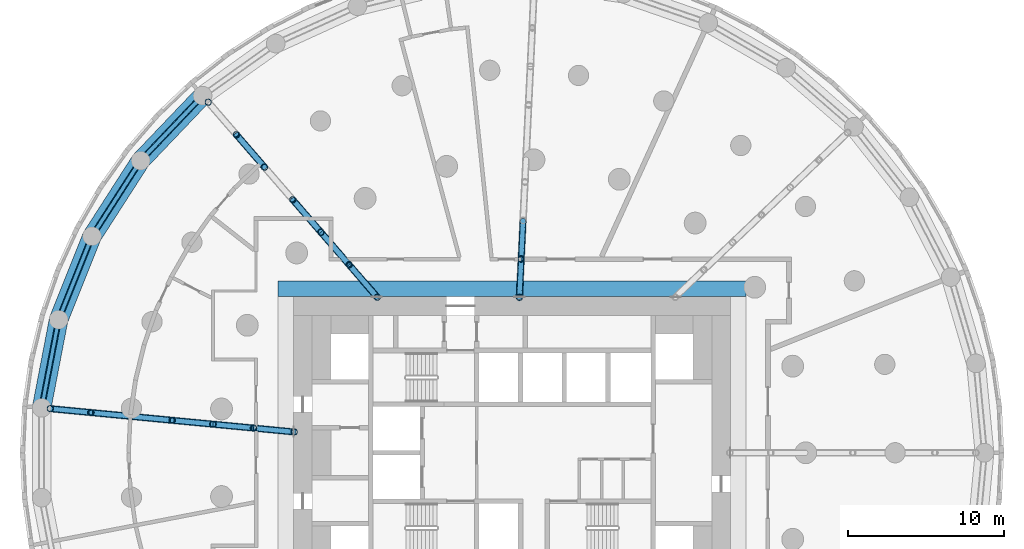
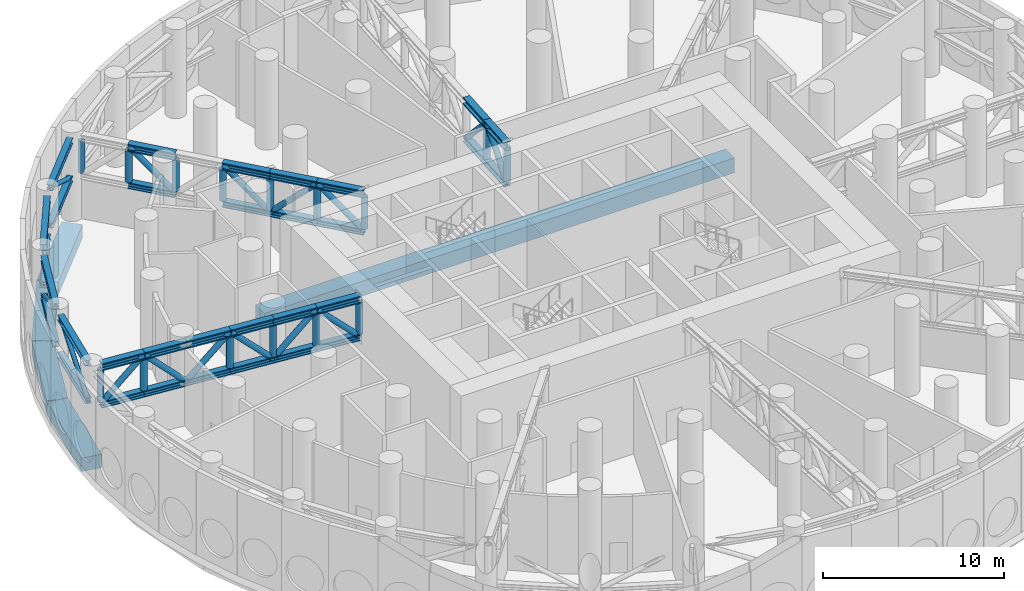
# One storey, part 5 of 17: 63 members, 5 beams.
"""IFC4 building model written with IfcOpenShell, lengths in metres."""

from ifc_helpers import new_model, si_unit, direction, frame, origin, origin_2d, place, context, subcontext, project, spatial, rectangle, hollow_circle, i_section, extrude, material, material_profile, profile_set, type_object, element, save


model = new_model("IFC4")

# Units and contexts
model_context = context("Model", 3, precision=1e-05, world=origin(), true_north=direction((0.0, 1.0)))
body_context = subcontext(model_context, "Body", "Model", "MODEL_VIEW")
ifc_project = project(units=[si_unit("LENGTHUNIT", "METRE"), si_unit("AREAUNIT", "SQUARE_METRE"), si_unit("VOLUMEUNIT", "CUBIC_METRE"), si_unit("PLANEANGLEUNIT", "RADIAN"), si_unit("MASSUNIT", "GRAM", prefix="KILO")], contexts=[model_context])

# Site, building, storey
site_placement = place(None, origin())
site = spatial("IfcSite", under=ifc_project, at=site_placement, CompositionType="ELEMENT")
building_placement = place(site_placement, origin())
building = spatial("IfcBuilding", under=site, at=building_placement, Name="Tracery Tower", CompositionType="ELEMENT")
storey_placement = place(building_placement, frame((0.0, 0.0, 120.0)))
storey = spatial("IfcBuildingStorey", under=building, at=storey_placement, Name="L30 Plant", CompositionType="ELEMENT", Elevation=120.0)

# Members
ifc_material_1 = material(Name="Steel S355", Category="steel")
ifc_material_profile_1 = material_profile(ifc_material_1, i_section(OverallWidth=0.37060546875, OverallDepth=0.362060546875, WebThickness=0.01220703125, FlangeThickness=0.020751953125, FilletRadius=0.01513671875, at=origin_2d()), Name="UKC 356x368x153")
ifc_profile_set_1 = profile_set([ifc_material_profile_1], Name="Steel S355")
member_type_1 = type_object("IfcMemberType", Name="Belt truss bottom chord UKC 356x368x153", PredefinedType="CHORD", material=ifc_profile_set_1)
member_1_placement = place(storey_placement, frame((-20.170654296875, 22.51806640625, 2.9033203125), z_axis=(-0.690093469117, -0.723720252503, 0.0), x_axis=(0.723720252503, -0.690093469117, 0.0)))
element("IfcMember", 1, at=member_1_placement, inside=storey, type_object=member_type_1, Name="Belt truss bottom chord 13", PredefinedType="CHORD", context=body_context, shape_type="SweptSolid", body=[
    extrude(i_section(OverallWidth=0.37060546875, OverallDepth=0.362060546875, WebThickness=0.01220703125, FlangeThickness=0.020751953125, FilletRadius=0.01513671875, at=origin_2d()), origin(), (0.0, 0.0, 1.0), 4.755615234375),
])
member_2_placement = place(storey_placement, frame((-24.067626953125, 18.2939453125, 2.9033203125), z_axis=(-0.540666777855, -0.841236848529, 0.0), x_axis=(0.841236848529, -0.540666777855, 0.0)))
element("IfcMember", 2, at=member_2_placement, inside=storey, type_object=member_type_1, Name="Belt truss bottom chord 14", PredefinedType="CHORD", context=body_context, shape_type="SweptSolid", body=[
    extrude(i_section(OverallWidth=0.37060546875, OverallDepth=0.362060546875, WebThickness=0.01220703125, FlangeThickness=0.020751953125, FilletRadius=0.01513671875, at=origin_2d()), origin(), (0.0, 0.0, 1.0), 4.755859375),
])
member_3_placement = place(storey_placement, frame((-27.094970703125, 13.408447265625, 2.9033203125), z_axis=(-0.371673893132, -0.928363354061, 0.0), x_axis=(0.928363354061, -0.371673893132, 0.0)))
element("IfcMember", 3, at=member_3_placement, inside=storey, type_object=member_type_1, Name="Belt truss bottom chord 15", PredefinedType="CHORD", context=body_context, shape_type="SweptSolid", body=[
    extrude(i_section(OverallWidth=0.37060546875, OverallDepth=0.362060546875, WebThickness=0.01220703125, FlangeThickness=0.020751953125, FilletRadius=0.01513671875, at=origin_2d()), origin(), (0.0, 0.0, 1.0), 4.755615234375),
])
member_4_placement = place(storey_placement, frame((-29.142822265625, 8.038330078125, 2.9033203125), z_axis=(-0.1892891442, -0.981921391909, 0.0), x_axis=(0.981921391909, -0.1892891442, 0.0)))
element("IfcMember", 4, at=member_4_placement, inside=storey, type_object=member_type_1, Name="Belt truss bottom chord 16", PredefinedType="CHORD", context=body_context, shape_type="SweptSolid", body=[
    extrude(i_section(OverallWidth=0.37060546875, OverallDepth=0.362060546875, WebThickness=0.01220703125, FlangeThickness=0.020751953125, FilletRadius=0.01513671875, at=origin_2d()), origin(), (0.0, 0.0, 1.0), 4.75537109375),
])
ifc_material_2 = material(Name="Steel S355", Category="steel")
ifc_material_profile_2 = material_profile(ifc_material_2, hollow_circle(Radius=0.136474609375, WallThickness=0.012451171875, at=origin_2d()), Name="CHS 273x12.5")
ifc_profile_set_2 = profile_set([ifc_material_profile_2], Name="Steel S355")
member_type_2 = type_object("IfcMemberType", Name="Belt truss diagonal CHS 273x12.5", PredefinedType="BRACE", material=ifc_profile_set_2)
member_5_placement = place(storey_placement, frame((-20.170654296875, 22.51806640625, 2.9033203125), z_axis=(-0.607678110868, -0.637288969565, 0.473909361421), x_axis=(0.723720252503, -0.690093469117, 0.0)))
element("IfcMember", 5, at=member_5_placement, inside=storey, type_object=member_type_2, Name="Belt truss diagonal 13", PredefinedType="BRACE", context=body_context, shape_type="SweptSolid", body=[
    extrude(hollow_circle(Radius=0.136474609375, WallThickness=0.012451171875, at=origin_2d()), origin(), (0.0, 0.0, 1.0), 5.400390625),
])
for number, where, z_axis, x_axis, name in (
    (6, (-24.067626953125, 18.2939453125, 5.462646484375), (-0.476103109274, -0.740780635366, -0.473888045435), (0.841236848529, -0.540666777855, 0.0), "Belt truss diagonal 14"),
    (7, (-27.094970703125, 13.408447265625, 2.9033203125), (-0.327289704715, -0.817500969621, 0.473891985431), (0.928363354061, -0.371673893132, 0.0), "Belt truss diagonal 15"),
):
    element("IfcMember", number, at=place(storey_placement, frame(where, z_axis=z_axis, x_axis=x_axis)), inside=storey, type_object=member_type_2, Name=name, PredefinedType="BRACE", context=body_context, shape_type="SweptSolid", body=[
        extrude(hollow_circle(Radius=0.136474609375, WallThickness=0.012451171875, at=origin_2d()), origin(), (0.0, 0.0, 1.0), 5.400634765625),
    ])
member_6_placement = place(storey_placement, frame((-29.142822265625, 8.038330078125, 5.462646484375), z_axis=(-0.166682292282, -0.864650263678, -0.473916590721), x_axis=(0.981921391909, -0.1892891442, 0.0)))
element("IfcMember", 8, at=member_6_placement, inside=storey, type_object=member_type_2, Name="Belt truss diagonal 16", PredefinedType="BRACE", context=body_context, shape_type="SweptSolid", body=[
    extrude(hollow_circle(Radius=0.136474609375, WallThickness=0.012451171875, at=origin_2d()), origin(), (0.0, 0.0, 1.0), 5.400390625),
])
ifc_material_3 = material(Name="Steel S355", Category="steel")
ifc_material_profile_3 = material_profile(ifc_material_3, i_section(OverallWidth=0.374755859375, OverallDepth=0.37451171875, WebThickness=0.0166015625, FlangeThickness=0.027099609375, FilletRadius=0.01513671875, at=origin_2d()), Name="UKC 356x368x202")
ifc_profile_set_3 = profile_set([ifc_material_profile_3], Name="Steel S355")
member_type_3 = type_object("IfcMemberType", Name="Belt truss top chord UKC 356x368x202", PredefinedType="CHORD", material=ifc_profile_set_3)
member_7_placement = place(storey_placement, frame((-20.170654296875, 22.51806640625, 5.462646484375), z_axis=(-0.690093469117, -0.723720252503, 0.0), x_axis=(0.723720252503, -0.690093469117, 0.0)))
element("IfcMember", 9, at=member_7_placement, inside=storey, type_object=member_type_3, Name="Belt truss top chord 13", PredefinedType="CHORD", context=body_context, shape_type="SweptSolid", body=[
    extrude(i_section(OverallWidth=0.374755859375, OverallDepth=0.37451171875, WebThickness=0.0166015625, FlangeThickness=0.027099609375, FilletRadius=0.01513671875, at=origin_2d()), origin(), (0.0, 0.0, 1.0), 4.755615234375),
])
member_8_placement = place(storey_placement, frame((-24.067626953125, 18.2939453125, 5.462646484375), z_axis=(-0.540666777855, -0.841236848529, 0.0), x_axis=(0.841236848529, -0.540666777855, 0.0)))
element("IfcMember", 10, at=member_8_placement, inside=storey, type_object=member_type_3, Name="Belt truss top chord 14", PredefinedType="CHORD", context=body_context, shape_type="SweptSolid", body=[
    extrude(i_section(OverallWidth=0.374755859375, OverallDepth=0.37451171875, WebThickness=0.0166015625, FlangeThickness=0.027099609375, FilletRadius=0.01513671875, at=origin_2d()), origin(), (0.0, 0.0, 1.0), 4.755859375),
])
member_9_placement = place(storey_placement, frame((-27.094970703125, 13.408447265625, 5.462646484375), z_axis=(-0.371673893132, -0.928363354061, 0.0), x_axis=(0.928363354061, -0.371673893132, 0.0)))
element("IfcMember", 11, at=member_9_placement, inside=storey, type_object=member_type_3, Name="Belt truss top chord 15", PredefinedType="CHORD", context=body_context, shape_type="SweptSolid", body=[
    extrude(i_section(OverallWidth=0.374755859375, OverallDepth=0.37451171875, WebThickness=0.0166015625, FlangeThickness=0.027099609375, FilletRadius=0.01513671875, at=origin_2d()), origin(), (0.0, 0.0, 1.0), 4.755615234375),
])
member_10_placement = place(storey_placement, frame((-29.142822265625, 8.038330078125, 5.462646484375), z_axis=(-0.1892891442, -0.981921391909, 0.0), x_axis=(0.981921391909, -0.1892891442, 0.0)))
element("IfcMember", 12, at=member_10_placement, inside=storey, type_object=member_type_3, Name="Belt truss top chord 16", PredefinedType="CHORD", context=body_context, shape_type="SweptSolid", body=[
    extrude(i_section(OverallWidth=0.374755859375, OverallDepth=0.37451171875, WebThickness=0.0166015625, FlangeThickness=0.027099609375, FilletRadius=0.01513671875, at=origin_2d()), origin(), (0.0, 0.0, 1.0), 4.75537109375),
])

# Beam
ifc_material_4 = material(Name="Concrete C60/75", Category="concrete")
ifc_material_profile_4 = material_profile(ifc_material_4, rectangle(XDim=1.0, YDim=1.0, at=origin_2d()), Name="RC 1000x1000")
ifc_profile_set_4 = profile_set([ifc_material_profile_4], Name="Concrete C60/75")
beam_type_1 = type_object("IfcBeamType", Name="Core slab edge beam 1000x1000", PredefinedType="BEAM", material=ifc_profile_set_4)
beam_1_placement = place(storey_placement, frame((-15.0, 10.5, -1.0), z_axis=(1.0, 0.0, 0.0), x_axis=(0.0, 1.0, 0.0)))
element("IfcBeam", 13, at=beam_1_placement, inside=storey, type_object=beam_type_1, Name="Core hole edge beam N at L30 Plant", PredefinedType="BEAM", context=body_context, shape_type="SweptSolid", body=[
    extrude(rectangle(XDim=1.0, YDim=1.0, at=origin_2d()), origin(), (0.0, 0.0, 1.0), 30.0),
])

# Members
ifc_material_5 = material(Name="Steel S355", Category="steel")
ifc_material_profile_5 = material_profile(ifc_material_5, i_section(OverallWidth=0.403076171875, OverallDepth=0.406494140625, WebThickness=0.026611328125, FlangeThickness=0.04296875, FilletRadius=0.01513671875, at=origin_2d()), Name="UKC 356x406x340")
ifc_profile_set_5 = profile_set([ifc_material_profile_5], Name="Steel S355")
member_type_4 = type_object("IfcMemberType", Name="Outrigger bottom chord UKC 356x406x340", PredefinedType="CHORD", material=ifc_profile_set_5)
for number, where, z_axis, x_axis, name in (
    (14, (0.47412109375, 9.9501953125, 2.9033203125), (0.047536976289, 0.998869478904, 0.0), (-0.998869478904, 0.047536976289, 0.0), "Outrigger 3 bottom chord 1"),
    (15, (0.591552734375, 12.417724609375, 2.9033203125), (0.047536976289, 0.998869478904, 0.0), (-0.998869478904, 0.047536976289, 0.0), "Outrigger 3 bottom chord 2"),
):
    element("IfcMember", number, at=place(storey_placement, frame(where, z_axis=z_axis, x_axis=x_axis)), inside=storey, type_object=member_type_4, Name=name, PredefinedType="CHORD", context=body_context, shape_type="SweptSolid", body=[
        extrude(i_section(OverallWidth=0.403076171875, OverallDepth=0.406494140625, WebThickness=0.026611328125, FlangeThickness=0.04296875, FilletRadius=0.01513671875, at=origin_2d()), origin(), (0.0, 0.0, 1.0), 2.47021484375),
    ])
member_11_placement = place(storey_placement, frame((-8.63232421875, 9.962158203125, 2.9033203125), z_axis=(-0.654829396434, 0.755776727325, 0.0), x_axis=(-0.755776727325, -0.654829396434, 0.0)))
element("IfcMember", 16, at=member_11_placement, inside=storey, type_object=member_type_4, Name="Outrigger 4 bottom chord 1", PredefinedType="CHORD", context=body_context, shape_type="SweptSolid", body=[
    extrude(i_section(OverallWidth=0.403076171875, OverallDepth=0.406494140625, WebThickness=0.026611328125, FlangeThickness=0.04296875, FilletRadius=0.01513671875, at=origin_2d()), origin(), (0.0, 0.0, 1.0), 2.757080078125),
])
member_12_placement = place(storey_placement, frame((-10.437744140625, 12.0458984375, 2.9033203125), z_axis=(-0.654879971825, 0.755732904208, 0.0), x_axis=(-0.755732904208, -0.654879971825, 0.0)))
element("IfcMember", 17, at=member_12_placement, inside=storey, type_object=member_type_4, Name="Outrigger 4 bottom chord 2", PredefinedType="CHORD", context=body_context, shape_type="SweptSolid", body=[
    extrude(i_section(OverallWidth=0.403076171875, OverallDepth=0.406494140625, WebThickness=0.026611328125, FlangeThickness=0.04296875, FilletRadius=0.01513671875, at=origin_2d()), origin(), (0.0, 0.0, 1.0), 2.75732421875),
])
member_13_placement = place(storey_placement, frame((-12.243408203125, 14.129638671875, 2.9033203125), z_axis=(-0.654829396434, 0.755776727325, 0.0), x_axis=(-0.755776727325, -0.654829396434, 0.0)))
element("IfcMember", 18, at=member_13_placement, inside=storey, type_object=member_type_4, Name="Outrigger 4 bottom chord 3", PredefinedType="CHORD", context=body_context, shape_type="SweptSolid", body=[
    extrude(i_section(OverallWidth=0.403076171875, OverallDepth=0.406494140625, WebThickness=0.026611328125, FlangeThickness=0.04296875, FilletRadius=0.01513671875, at=origin_2d()), origin(), (0.0, 0.0, 1.0), 2.757080078125),
])
member_14_placement = place(storey_placement, frame((-15.8544921875, 18.297119140625, 2.9033203125), z_axis=(-0.654873222232, 0.755738753012, 0.0), x_axis=(-0.755738753012, -0.654873222232, 0.0)))
element("IfcMember", 19, at=member_14_placement, inside=storey, type_object=member_type_4, Name="Outrigger 4 bottom chord 5", PredefinedType="CHORD", context=body_context, shape_type="SweptSolid", body=[
    extrude(i_section(OverallWidth=0.403076171875, OverallDepth=0.406494140625, WebThickness=0.026611328125, FlangeThickness=0.04296875, FilletRadius=0.01513671875, at=origin_2d()), origin(), (0.0, 0.0, 1.0), 2.7568359375),
])
for number, where, z_axis, x_axis, name in (
    (20, (-13.9501953125, 1.33203125, 2.9033203125), (-0.99546777408, 0.095099478277, 0.0), (-0.095099478277, -0.99546777408, 0.0), "Outrigger 5 bottom chord 1"),
    (21, (-16.556884765625, 1.5810546875, 2.9033203125), (-0.995476596264, 0.095007085473, 0.0), (-0.095007085473, -0.995476596264, 0.0), "Outrigger 5 bottom chord 2"),
):
    element("IfcMember", number, at=place(storey_placement, frame(where, z_axis=z_axis, x_axis=x_axis)), inside=storey, type_object=member_type_4, Name=name, PredefinedType="CHORD", context=body_context, shape_type="SweptSolid", body=[
        extrude(i_section(OverallWidth=0.403076171875, OverallDepth=0.406494140625, WebThickness=0.026611328125, FlangeThickness=0.04296875, FilletRadius=0.01513671875, at=origin_2d()), origin(), (0.0, 0.0, 1.0), 2.61865234375),
    ])
member_15_placement = place(storey_placement, frame((-19.16357421875, 1.829833984375, 2.9033203125), z_axis=(-0.995466930755, 0.095108305486, 0.0), x_axis=(-0.095108305486, -0.995466930755, 0.0)))
element("IfcMember", 22, at=member_15_placement, inside=storey, type_object=member_type_4, Name="Outrigger 5 bottom chord 3", PredefinedType="CHORD", context=body_context, shape_type="SweptSolid", body=[
    extrude(i_section(OverallWidth=0.403076171875, OverallDepth=0.406494140625, WebThickness=0.026611328125, FlangeThickness=0.04296875, FilletRadius=0.01513671875, at=origin_2d()), origin(), (0.0, 0.0, 1.0), 2.618408203125),
])
member_16_placement = place(storey_placement, frame((-21.77001953125, 2.078857421875, 2.9033203125), z_axis=(-0.995470399762, 0.095071989555, 0.0), x_axis=(-0.095071989555, -0.995470399762, 0.0)))
element("IfcMember", 23, at=member_16_placement, inside=storey, type_object=member_type_4, Name="Outrigger 5 bottom chord 4", PredefinedType="CHORD", context=body_context, shape_type="SweptSolid", body=[
    extrude(i_section(OverallWidth=0.403076171875, OverallDepth=0.406494140625, WebThickness=0.026611328125, FlangeThickness=0.04296875, FilletRadius=0.01513671875, at=origin_2d()), origin(), (0.0, 0.0, 1.0), 2.67333984375),
])
member_17_placement = place(storey_placement, frame((-24.43115234375, 2.3330078125, 2.9033203125), z_axis=(-0.995474048535, 0.095033776587, 0.0), x_axis=(-0.095033776587, -0.995474048535, 0.0)))
element("IfcMember", 24, at=member_17_placement, inside=storey, type_object=member_type_4, Name="Outrigger 5 bottom chord 5", PredefinedType="CHORD", context=body_context, shape_type="SweptSolid", body=[
    extrude(i_section(OverallWidth=0.403076171875, OverallDepth=0.406494140625, WebThickness=0.026611328125, FlangeThickness=0.04296875, FilletRadius=0.01513671875, at=origin_2d()), origin(), (0.0, 0.0, 1.0), 2.56396484375),
])
member_18_placement = place(storey_placement, frame((-26.9833984375, 2.57666015625, 2.9033203125), z_axis=(-0.995476596264, 0.095007085473, 0.0), x_axis=(-0.095007085473, -0.995476596264, 0.0)))
element("IfcMember", 25, at=member_18_placement, inside=storey, type_object=member_type_4, Name="Outrigger 5 bottom chord 6", PredefinedType="CHORD", context=body_context, shape_type="SweptSolid", body=[
    extrude(i_section(OverallWidth=0.403076171875, OverallDepth=0.406494140625, WebThickness=0.026611328125, FlangeThickness=0.04296875, FilletRadius=0.01513671875, at=origin_2d()), origin(), (0.0, 0.0, 1.0), 2.61865234375),
])
ifc_material_6 = material(Name="Steel S355", Category="steel")
ifc_material_profile_6 = material_profile(ifc_material_6, hollow_circle(Radius=0.177734375, WallThickness=0.01611328125, at=origin_2d()), Name="CHS 355.6x16")
ifc_profile_set_6 = profile_set([ifc_material_profile_6], Name="Steel S355")
member_type_5 = type_object("IfcMemberType", Name="Outrigger diagonal CHS 355.6x16", PredefinedType="BRACE", material=ifc_profile_set_6)
for number, where, z_axis, x_axis, name in (
    (26, (0.47412109375, 9.9501953125, 2.9033203125), (0.03301372485, 0.693700035465, 0.719507022042), (-0.998869478904, 0.047536976289, 0.0), "Outrigger 3 diagonal 1"),
    (27, (0.591552734375, 12.417724609375, 5.462646484375), (0.03301372485, 0.693700035465, -0.719507022042), (-0.998869478904, 0.047536976289, 0.0), "Outrigger 3 diagonal 2"),
):
    element("IfcMember", number, at=place(storey_placement, frame(where, z_axis=z_axis, x_axis=x_axis)), inside=storey, type_object=member_type_5, Name=name, PredefinedType="BRACE", context=body_context, shape_type="SweptSolid", body=[
        extrude(hollow_circle(Radius=0.177734375, WallThickness=0.01611328125, at=origin_2d()), origin(), (0.0, 0.0, 1.0), 3.55712890625),
    ])
for number, where, z_axis, x_axis, name in (
    (28, (-8.63232421875, 9.962158203125, 2.9033203125), (-0.479926202834, 0.5539107696, 0.680333520529), (-0.755776727325, -0.654829396434, 0.0), "Outrigger 4 diagonal 1"),
    (29, (-10.437744140625, 12.0458984375, 5.462646484375), (-0.47997615117, 0.553893516798, -0.680312330005), (-0.755732904208, -0.654879971825, 0.0), "Outrigger 4 diagonal 2"),
    (30, (-12.243408203125, 14.129638671875, 2.9033203125), (-0.479926202834, 0.5539107696, 0.680333520529), (-0.755776727325, -0.654829396434, 0.0), "Outrigger 4 diagonal 3"),
):
    element("IfcMember", number, at=place(storey_placement, frame(where, z_axis=z_axis, x_axis=x_axis)), inside=storey, type_object=member_type_5, Name=name, PredefinedType="BRACE", context=body_context, shape_type="SweptSolid", body=[
        extrude(hollow_circle(Radius=0.177734375, WallThickness=0.01611328125, at=origin_2d()), origin(), (0.0, 0.0, 1.0), 3.761962890625),
    ])
member_19_placement = place(storey_placement, frame((-15.8544921875, 18.297119140625, 2.9033203125), z_axis=(-0.479943455195, 0.553865780478, 0.680357977121), x_axis=(-0.755738753012, -0.654873222232, 0.0)))
element("IfcMember", 31, at=member_19_placement, inside=storey, type_object=member_type_5, Name="Outrigger 4 diagonal 5", PredefinedType="BRACE", context=body_context, shape_type="SweptSolid", body=[
    extrude(hollow_circle(Radius=0.177734375, WallThickness=0.01611328125, at=origin_2d()), origin(), (0.0, 0.0, 1.0), 3.76171875),
])
for number, where, z_axis, x_axis, name in (
    (32, (-13.9501953125, 1.33203125, 2.9033203125), (-0.711907556791, 0.068010275164, 0.698972269161), (-0.095099478277, -0.99546777408, 0.0), "Outrigger 5 diagonal 1"),
    (33, (-16.556884765625, 1.5810546875, 5.462646484375), (-0.71191078352, 0.067943906379, -0.698975437261), (-0.095007085473, -0.995476596264, 0.0), "Outrigger 5 diagonal 2"),
):
    element("IfcMember", number, at=place(storey_placement, frame(where, z_axis=z_axis, x_axis=x_axis)), inside=storey, type_object=member_type_5, Name=name, PredefinedType="BRACE", context=body_context, shape_type="SweptSolid", body=[
        extrude(hollow_circle(Radius=0.177734375, WallThickness=0.01611328125, at=origin_2d()), origin(), (0.0, 0.0, 1.0), 3.66162109375),
    ])
member_20_placement = place(storey_placement, frame((-19.16357421875, 1.829833984375, 2.9033203125), z_axis=(-0.711874670305, 0.068013503532, 0.699005448559), x_axis=(-0.095108305486, -0.995466930755, 0.0)))
element("IfcMember", 34, at=member_20_placement, inside=storey, type_object=member_type_5, Name="Outrigger 5 diagonal 3", PredefinedType="BRACE", context=body_context, shape_type="SweptSolid", body=[
    extrude(hollow_circle(Radius=0.177734375, WallThickness=0.01611328125, at=origin_2d()), origin(), (0.0, 0.0, 1.0), 3.661376953125),
])
member_21_placement = place(storey_placement, frame((-21.77001953125, 2.078857421875, 5.462646484375), z_axis=(-0.719057795063, 0.068673317859, -0.691548886756), x_axis=(-0.095071989555, -0.995470399762, 0.0)))
element("IfcMember", 35, at=member_21_placement, inside=storey, type_object=member_type_5, Name="Outrigger 5 diagonal 4", PredefinedType="BRACE", context=body_context, shape_type="SweptSolid", body=[
    extrude(hollow_circle(Radius=0.177734375, WallThickness=0.01611328125, at=origin_2d()), origin(), (0.0, 0.0, 1.0), 3.700927734375),
])
member_22_placement = place(storey_placement, frame((-24.43115234375, 2.3330078125, 2.9033203125), z_axis=(-0.704527727399, 0.067258338621, 0.70648212802), x_axis=(-0.095033776587, -0.995474048535, 0.0)))
element("IfcMember", 36, at=member_22_placement, inside=storey, type_object=member_type_5, Name="Outrigger 5 diagonal 5", PredefinedType="BRACE", context=body_context, shape_type="SweptSolid", body=[
    extrude(hollow_circle(Radius=0.177734375, WallThickness=0.01611328125, at=origin_2d()), origin(), (0.0, 0.0, 1.0), 3.62255859375),
])
member_23_placement = place(storey_placement, frame((-26.9833984375, 2.57666015625, 5.462646484375), z_axis=(-0.71191078352, 0.067943906379, -0.698975437261), x_axis=(-0.095007085473, -0.995476596264, 0.0)))
element("IfcMember", 37, at=member_23_placement, inside=storey, type_object=member_type_5, Name="Outrigger 5 diagonal 6", PredefinedType="BRACE", context=body_context, shape_type="SweptSolid", body=[
    extrude(hollow_circle(Radius=0.177734375, WallThickness=0.01611328125, at=origin_2d()), origin(), (0.0, 0.0, 1.0), 3.66162109375),
])
ifc_material_7 = material(Name="Steel S355", Category="steel")
ifc_material_profile_7 = material_profile(ifc_material_7, hollow_circle(Radius=0.203125, WallThickness=0.02001953125, at=origin_2d()), Name="CHS 406.4x20")
ifc_profile_set_7 = profile_set([ifc_material_profile_7], Name="Steel S355")
member_type_6 = type_object("IfcMemberType", Name="Outrigger post CHS 406.4x20", PredefinedType="POST", material=ifc_profile_set_7)
for number, where, z_axis, x_axis, name in (
    (38, (0.47412109375, 9.9501953125, 3.1064453125), (0.0, 0.0, 1.0), (1.0, 0.0, 0.0), "Outrigger 3 post 1"),
    (39, (0.591552734375, 12.417724609375, 3.1064453125), (0.0, 0.0, 1.0), (1.0, 0.0, 0.0), "Outrigger 3 post 2"),
    (40, (-8.63232421875, 9.962158203125, 3.1064453125), (0.0, 0.0, 1.0), (1.0, 0.0, 0.0), "Outrigger 4 post 1"),
    (41, (-10.437744140625, 12.0458984375, 3.1064453125), (0.0, 0.0, 1.0), (1.0, 0.0, 0.0), "Outrigger 4 post 2"),
    (42, (-12.243408203125, 14.129638671875, 3.1064453125), (0.0, 0.0, 1.0), (1.0, 0.0, 0.0), "Outrigger 4 post 3"),
    (43, (-14.048828125, 16.21337890625, 3.1064453125), (0.0, 0.0, 1.0), (1.0, 0.0, 0.0), "Outrigger 4 post 4"),
    (44, (-15.8544921875, 18.297119140625, 3.1064453125), (0.0, 0.0, 1.0), (1.0, 0.0, 0.0), "Outrigger 4 post 5"),
    (45, (-17.659912109375, 20.380615234375, 3.1064453125), (0.0, 0.0, 1.0), (1.0, 0.0, 0.0), "Outrigger 4 post 6"),
    (46, (-19.46533203125, 22.46435546875, 3.1064453125), (0.0, 0.0, 1.0), (1.0, 0.0, 0.0), "Outrigger 4 post 7"),
    (47, (-13.9501953125, 1.33203125, 3.1064453125), (0.0, 0.0, 1.0), (1.0, 0.0, 0.0), "Outrigger 5 post 1"),
    (48, (-16.556884765625, 1.5810546875, 3.1064453125), (0.0, 0.0, 1.0), (1.0, 0.0, 0.0), "Outrigger 5 post 2"),
    (49, (-19.16357421875, 1.829833984375, 3.1064453125), (0.0, 0.0, 1.0), (1.0, 0.0, 0.0), "Outrigger 5 post 3"),
    (50, (-21.77001953125, 2.078857421875, 3.1064453125), (0.0, 0.0, 1.0), (1.0, 0.0, 0.0), "Outrigger 5 post 4"),
    (51, (-26.9833984375, 2.57666015625, 3.1064453125), (0.0, 0.0, 1.0), (1.0, 0.0, 0.0), "Outrigger 5 post 6"),
    (52, (-29.590087890625, 2.825439453125, 3.1064453125), (0.0, 0.0, 1.0), (1.0, 0.0, 0.0), "Outrigger 5 post 7"),
):
    element("IfcMember", number, at=place(storey_placement, frame(where, z_axis=z_axis, x_axis=x_axis)), inside=storey, type_object=member_type_6, Name=name, PredefinedType="POST", context=body_context, shape_type="SweptSolid", body=[
        extrude(hollow_circle(Radius=0.203125, WallThickness=0.02001953125, at=origin_2d()), origin(), (0.0, 0.0, 1.0), 2.118896484375),
    ])
ifc_material_8 = material(Name="Steel S355", Category="steel")
ifc_material_profile_8 = material_profile(ifc_material_8, i_section(OverallWidth=0.424072265625, OverallDepth=0.474609375, WebThickness=0.047607421875, FlangeThickness=0.076904296875, FilletRadius=0.01513671875, at=origin_2d()), Name="UKC 356x406x634")
ifc_profile_set_8 = profile_set([ifc_material_profile_8], Name="Steel S355")
member_type_7 = type_object("IfcMemberType", Name="Outrigger top chord UKC 356x406x634", PredefinedType="CHORD", material=ifc_profile_set_8)
for number, where, z_axis, x_axis, name in (
    (53, (0.47412109375, 9.9501953125, 5.462646484375), (0.047536976289, 0.998869478904, 0.0), (-0.998869478904, 0.047536976289, 0.0), "Outrigger 3 top chord 1"),
    (54, (0.591552734375, 12.417724609375, 5.462646484375), (0.047536976289, 0.998869478904, 0.0), (-0.998869478904, 0.047536976289, 0.0), "Outrigger 3 top chord 2"),
):
    element("IfcMember", number, at=place(storey_placement, frame(where, z_axis=z_axis, x_axis=x_axis)), inside=storey, type_object=member_type_7, Name=name, PredefinedType="CHORD", context=body_context, shape_type="SweptSolid", body=[
        extrude(i_section(OverallWidth=0.424072265625, OverallDepth=0.474609375, WebThickness=0.047607421875, FlangeThickness=0.076904296875, FilletRadius=0.01513671875, at=origin_2d()), origin(), (0.0, 0.0, 1.0), 2.47021484375),
    ])
member_24_placement = place(storey_placement, frame((-8.63232421875, 9.962158203125, 5.462646484375), z_axis=(-0.654829396434, 0.755776727325, 0.0), x_axis=(-0.755776727325, -0.654829396434, 0.0)))
element("IfcMember", 55, at=member_24_placement, inside=storey, type_object=member_type_7, Name="Outrigger 4 top chord 1", PredefinedType="CHORD", context=body_context, shape_type="SweptSolid", body=[
    extrude(i_section(OverallWidth=0.424072265625, OverallDepth=0.474609375, WebThickness=0.047607421875, FlangeThickness=0.076904296875, FilletRadius=0.01513671875, at=origin_2d()), origin(), (0.0, 0.0, 1.0), 2.757080078125),
])
member_25_placement = place(storey_placement, frame((-10.437744140625, 12.0458984375, 5.462646484375), z_axis=(-0.654879971825, 0.755732904208, 0.0), x_axis=(-0.755732904208, -0.654879971825, 0.0)))
element("IfcMember", 56, at=member_25_placement, inside=storey, type_object=member_type_7, Name="Outrigger 4 top chord 2", PredefinedType="CHORD", context=body_context, shape_type="SweptSolid", body=[
    extrude(i_section(OverallWidth=0.424072265625, OverallDepth=0.474609375, WebThickness=0.047607421875, FlangeThickness=0.076904296875, FilletRadius=0.01513671875, at=origin_2d()), origin(), (0.0, 0.0, 1.0), 2.75732421875),
])
member_26_placement = place(storey_placement, frame((-12.243408203125, 14.129638671875, 5.462646484375), z_axis=(-0.654829396434, 0.755776727325, 0.0), x_axis=(-0.755776727325, -0.654829396434, 0.0)))
element("IfcMember", 57, at=member_26_placement, inside=storey, type_object=member_type_7, Name="Outrigger 4 top chord 3", PredefinedType="CHORD", context=body_context, shape_type="SweptSolid", body=[
    extrude(i_section(OverallWidth=0.424072265625, OverallDepth=0.474609375, WebThickness=0.047607421875, FlangeThickness=0.076904296875, FilletRadius=0.01513671875, at=origin_2d()), origin(), (0.0, 0.0, 1.0), 2.757080078125),
])
member_27_placement = place(storey_placement, frame((-15.8544921875, 18.297119140625, 5.462646484375), z_axis=(-0.654873222232, 0.755738753012, 0.0), x_axis=(-0.755738753012, -0.654873222232, 0.0)))
element("IfcMember", 58, at=member_27_placement, inside=storey, type_object=member_type_7, Name="Outrigger 4 top chord 5", PredefinedType="CHORD", context=body_context, shape_type="SweptSolid", body=[
    extrude(i_section(OverallWidth=0.424072265625, OverallDepth=0.474609375, WebThickness=0.047607421875, FlangeThickness=0.076904296875, FilletRadius=0.01513671875, at=origin_2d()), origin(), (0.0, 0.0, 1.0), 2.7568359375),
])
for number, where, z_axis, x_axis, name in (
    (59, (-13.9501953125, 1.33203125, 5.462646484375), (-0.99546777408, 0.095099478277, 0.0), (-0.095099478277, -0.99546777408, 0.0), "Outrigger 5 top chord 1"),
    (60, (-16.556884765625, 1.5810546875, 5.462646484375), (-0.995476596264, 0.095007085473, 0.0), (-0.095007085473, -0.995476596264, 0.0), "Outrigger 5 top chord 2"),
):
    element("IfcMember", number, at=place(storey_placement, frame(where, z_axis=z_axis, x_axis=x_axis)), inside=storey, type_object=member_type_7, Name=name, PredefinedType="CHORD", context=body_context, shape_type="SweptSolid", body=[
        extrude(i_section(OverallWidth=0.424072265625, OverallDepth=0.474609375, WebThickness=0.047607421875, FlangeThickness=0.076904296875, FilletRadius=0.01513671875, at=origin_2d()), origin(), (0.0, 0.0, 1.0), 2.61865234375),
    ])
member_28_placement = place(storey_placement, frame((-19.16357421875, 1.829833984375, 5.462646484375), z_axis=(-0.995466930755, 0.095108305486, 0.0), x_axis=(-0.095108305486, -0.995466930755, 0.0)))
element("IfcMember", 61, at=member_28_placement, inside=storey, type_object=member_type_7, Name="Outrigger 5 top chord 3", PredefinedType="CHORD", context=body_context, shape_type="SweptSolid", body=[
    extrude(i_section(OverallWidth=0.424072265625, OverallDepth=0.474609375, WebThickness=0.047607421875, FlangeThickness=0.076904296875, FilletRadius=0.01513671875, at=origin_2d()), origin(), (0.0, 0.0, 1.0), 2.618408203125),
])
member_29_placement = place(storey_placement, frame((-21.77001953125, 2.078857421875, 5.462646484375), z_axis=(-0.995470399762, 0.095071989555, 0.0), x_axis=(-0.095071989555, -0.995470399762, 0.0)))
element("IfcMember", 62, at=member_29_placement, inside=storey, type_object=member_type_7, Name="Outrigger 5 top chord 4", PredefinedType="CHORD", context=body_context, shape_type="SweptSolid", body=[
    extrude(i_section(OverallWidth=0.424072265625, OverallDepth=0.474609375, WebThickness=0.047607421875, FlangeThickness=0.076904296875, FilletRadius=0.01513671875, at=origin_2d()), origin(), (0.0, 0.0, 1.0), 2.67333984375),
])
member_30_placement = place(storey_placement, frame((-24.43115234375, 2.3330078125, 5.462646484375), z_axis=(-0.995474048535, 0.095033776587, 0.0), x_axis=(-0.095033776587, -0.995474048535, 0.0)))
element("IfcMember", 63, at=member_30_placement, inside=storey, type_object=member_type_7, Name="Outrigger 5 top chord 5", PredefinedType="CHORD", context=body_context, shape_type="SweptSolid", body=[
    extrude(i_section(OverallWidth=0.424072265625, OverallDepth=0.474609375, WebThickness=0.047607421875, FlangeThickness=0.076904296875, FilletRadius=0.01513671875, at=origin_2d()), origin(), (0.0, 0.0, 1.0), 2.56396484375),
])
member_31_placement = place(storey_placement, frame((-26.9833984375, 2.57666015625, 5.462646484375), z_axis=(-0.995476596264, 0.095007085473, 0.0), x_axis=(-0.095007085473, -0.995476596264, 0.0)))
element("IfcMember", 64, at=member_31_placement, inside=storey, type_object=member_type_7, Name="Outrigger 5 top chord 6", PredefinedType="CHORD", context=body_context, shape_type="SweptSolid", body=[
    extrude(i_section(OverallWidth=0.424072265625, OverallDepth=0.474609375, WebThickness=0.047607421875, FlangeThickness=0.076904296875, FilletRadius=0.01513671875, at=origin_2d()), origin(), (0.0, 0.0, 1.0), 2.61865234375),
])

# Beams
ifc_material_9 = material(Name="Concrete C60/75", Category="concrete")
ifc_material_profile_9 = material_profile(ifc_material_9, rectangle(XDim=1.199951171875, YDim=0.89990234375, at=origin_2d()), Name="RC 1200x900")
ifc_profile_set_9 = profile_set([ifc_material_profile_9], Name="Concrete C60/75")
beam_type_2 = type_object("IfcBeamType", Name="Plant level band beam 1200x900", PredefinedType="BEAM", material=ifc_profile_set_9)
beam_2_placement = place(storey_placement, frame((-19.82568359375, 22.8798828125, -0.949951171875), z_axis=(-0.690087218267, -0.723726212863, 0.0), x_axis=(0.723726212863, -0.690087218267, 0.0)))
element("IfcBeam", 65, at=beam_2_placement, inside=storey, type_object=beam_type_2, Name="Perimeter beam 0.12 under L30 Plant", PredefinedType="BEAM", context=body_context, shape_type="SweptSolid", body=[
    extrude(rectangle(XDim=1.199951171875, YDim=0.89990234375, at=origin_2d()), origin(), (0.0, 0.0, 1.0), 5.75537109375),
])
beam_3_placement = place(storey_placement, frame((-23.79736328125, 18.714599609375, -0.949951171875), z_axis=(-0.540643964602, -0.841251510274, 0.0), x_axis=(0.841251510274, -0.540643964602, 0.0)))
element("IfcBeam", 66, at=beam_3_placement, inside=storey, type_object=beam_type_2, Name="Perimeter beam 0.13 under L30 Plant", PredefinedType="BEAM", context=body_context, shape_type="SweptSolid", body=[
    extrude(rectangle(XDim=1.199951171875, YDim=0.89990234375, at=origin_2d()), origin(), (0.0, 0.0, 1.0), 5.755859375),
])
for number, where, z_axis, x_axis, name in (
    (67, (-26.9091796875, 13.87255859375, -0.949951171875), (-0.371668572289, -0.928365484264, 0.0), (0.928365484264, -0.371668572289, 0.0), "Perimeter beam 0.14 under L30 Plant"),
    (68, (-29.04833984375, 8.529296875, -0.949951171875), (-0.189226539295, -0.981933458451, 0.0), (0.981933458451, -0.189226539295, 0.0), "Perimeter beam 0.15 under L30 Plant"),
):
    element("IfcBeam", number, at=place(storey_placement, frame(where, z_axis=z_axis, x_axis=x_axis)), inside=storey, type_object=beam_type_2, Name=name, PredefinedType="BEAM", context=body_context, shape_type="SweptSolid", body=[
        extrude(rectangle(XDim=1.199951171875, YDim=0.89990234375, at=origin_2d()), origin(), (0.0, 0.0, 1.0), 5.755615234375),
    ])

save(model, "model.ifc")
